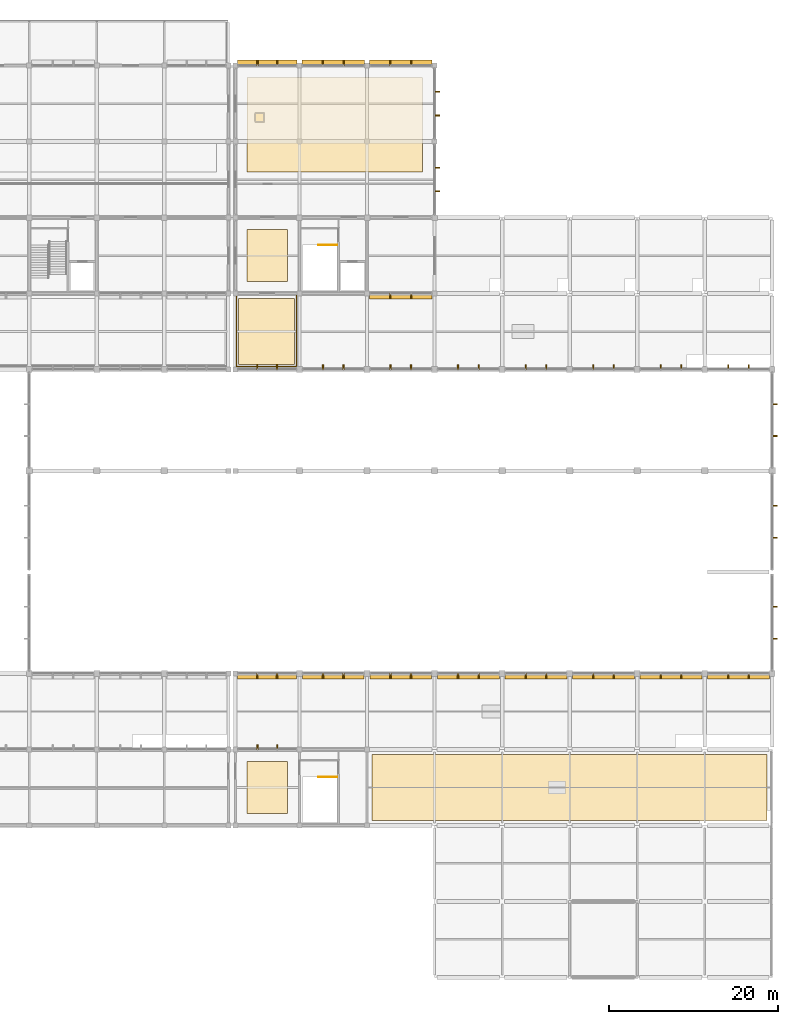
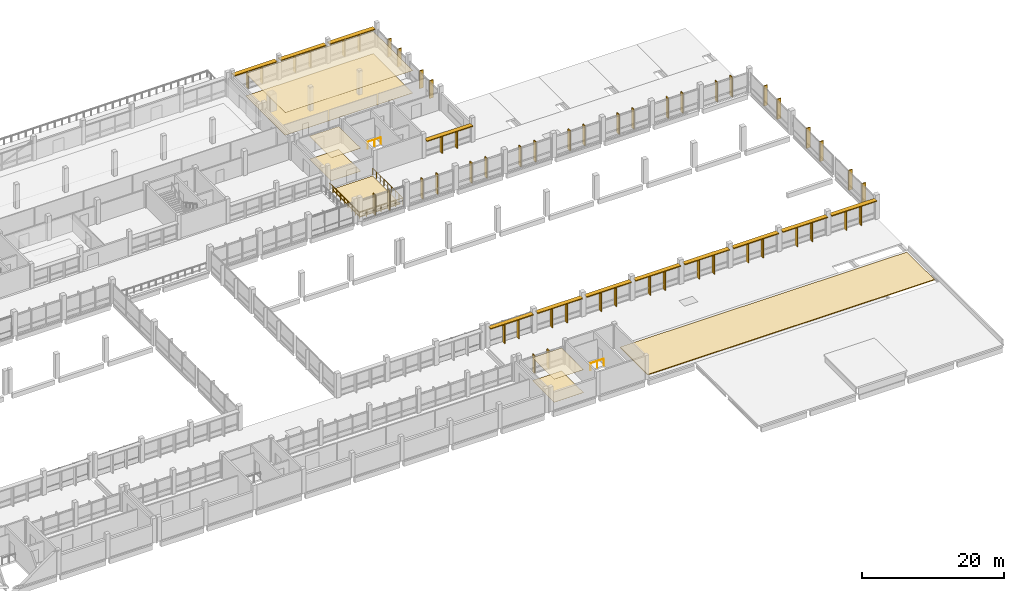
# One storey, part 70 of 70: 64 shading devices, 8 coverings, 3 railings.
"""IFC4 building model written with IfcOpenShell, lengths in metres."""

from ifc_helpers import new_model, si_unit, direction, frame, origin, origin_2d, place, context, subcontext, project, spatial, polyline, rectangle, circle, outline, extrude, material, layer, layer_set, type_object, element, save


model = new_model("IFC4")

# Units and contexts
model_context = context("Model", 3, precision=1e-05, world=origin(), true_north=direction((0.0, 1.0)))
body_context = subcontext(model_context, "Body", "Model", "MODEL_VIEW")
ifc_project = project(units=[si_unit("LENGTHUNIT", "METRE"), si_unit("AREAUNIT", "SQUARE_METRE"), si_unit("VOLUMEUNIT", "CUBIC_METRE"), si_unit("PLANEANGLEUNIT", "RADIAN"), si_unit("MASSUNIT", "GRAM", prefix="KILO"), si_unit("THERMODYNAMICTEMPERATUREUNIT", "KELVIN"), si_unit("POWERUNIT", "WATT")], contexts=[model_context])

# Site, building, storey
site_placement = place(None, origin())
site = spatial("IfcSite", under=ifc_project, at=site_placement, CompositionType="ELEMENT")
building_placement = place(site_placement, origin())
building = spatial("IfcBuilding", under=site, at=building_placement, Name="Kronsvod Quay Wholesale Market", CompositionType="ELEMENT")
storey_placement = place(building_placement, frame((0.0, 0.0, 9.0)))
storey = spatial("IfcBuildingStorey", under=building, at=storey_placement, Name="L02", CompositionType="ELEMENT", Elevation=9.0)

# Coverings
ifc_material_1 = material(Name="Moisture-resistant gypsum board ceiling")
ifc_layer_1 = layer(ifc_material_1, 0.02490234375)
ifc_layer_set_1 = layer_set([ifc_layer_1], Name="Moisture-resistant gypsum board ceiling")
covering_type_1 = type_object("IfcCoveringType", Name="Cov_Ceil03", PredefinedType="CEILING", material=ifc_layer_set_1)
covering_1_placement = place(storey_placement, frame((0.0, 0.0, 3.955078125)))
element("IfcCovering", 1, at=covering_1_placement, inside=storey, type_object=covering_type_1, Name="CLG-SP-L02-V4-06", PredefinedType="CEILING", context=body_context, shape_type="SweptSolid", body=[
    extrude(outline(polyline([(129.800048828125, 37.39990234375), (134.60009765625, 37.39990234375), (134.60009765625, 43.60009765625), (129.800048828125, 43.60009765625), (129.800048828125, 37.39990234375)])), origin(), (0.0, 0.0, 1.0), 0.02490234375),
])
covering_2_placement = place(storey_placement, frame((0.0, 0.0, 3.955078125)))
element("IfcCovering", 2, at=covering_2_placement, inside=storey, type_object=covering_type_1, Name="CLG-SP-L02-V5-07", PredefinedType="CEILING", context=body_context, shape_type="SweptSolid", body=[
    extrude(outline(polyline([(129.800048828125, 100.39990234375), (134.60009765625, 100.39990234375), (134.60009765625, 106.60009765625), (129.800048828125, 106.60009765625), (129.800048828125, 100.39990234375)])), origin(), (0.0, 0.0, 1.0), 0.02490234375),
])
covering_3_placement = place(storey_placement, frame((0.0, 0.0, 3.864990234375)))
element("IfcCovering", 3, at=covering_3_placement, inside=storey, type_object=covering_type_1, Name="CLG-SP-L02-V5-12", PredefinedType="CEILING", context=body_context, shape_type="SweptSolid", body=[
    extrude(outline(polyline([(129.800048828125, 113.39990234375), (150.60009765625, 113.39990234375), (150.60009765625, 124.60009765625), (129.800048828125, 124.60009765625), (129.800048828125, 113.39990234375)])), origin(), (0.0, 0.0, 1.0), 0.02490234375),
])
ifc_material_2 = material(Name="Heavy-duty polyurethane resin market screed")
ifc_layer_2 = layer(ifc_material_2, 0.02001953125)
ifc_layer_set_2 = layer_set([ifc_layer_2], Name="Heavy-duty polyurethane resin market screed")
covering_type_2 = type_object("IfcCoveringType", Name="Cov_Floor01", PredefinedType="FLOORING", material=ifc_layer_set_2)
covering_4_placement = place(storey_placement, origin())
element("IfcCovering", 4, at=covering_4_placement, inside=storey, type_object=covering_type_2, Name="FLR-SP-L02-V4-06", PredefinedType="FLOORING", context=body_context, shape_type="SweptSolid", body=[
    extrude(outline(polyline([(129.800048828125, 37.39990234375), (134.60009765625, 37.39990234375), (134.60009765625, 43.60009765625), (129.800048828125, 43.60009765625), (129.800048828125, 37.39990234375)])), origin(), (0.0, 0.0, 1.0), 0.02001953125),
])
covering_5_placement = place(storey_placement, origin())
element("IfcCovering", 5, at=covering_5_placement, inside=storey, type_object=covering_type_2, Name="FLR-SP-L02-V5-07", PredefinedType="FLOORING", context=body_context, shape_type="SweptSolid", body=[
    extrude(outline(polyline([(129.800048828125, 100.39990234375), (134.60009765625, 100.39990234375), (134.60009765625, 106.60009765625), (129.800048828125, 106.60009765625), (129.800048828125, 100.39990234375)])), origin(), (0.0, 0.0, 1.0), 0.02001953125),
])
covering_6_placement = place(storey_placement, origin())
element("IfcCovering", 6, at=covering_6_placement, inside=storey, type_object=covering_type_2, Name="FLR-SP-L02-V5-12", PredefinedType="FLOORING", context=body_context, shape_type="SweptSolid", body=[
    extrude(outline(polyline([(129.800048828125, 113.39990234375), (150.60009765625, 113.39990234375), (150.60009765625, 124.60009765625), (129.800048828125, 124.60009765625), (129.800048828125, 113.39990234375)])), origin(), (0.0, 0.0, 1.0), 0.02001953125),
])
ifc_material_3 = material(Name="Planted green roof sedum substrate")
ifc_layer_3 = layer(ifc_material_3, 0.139892578125)
ifc_layer_set_3 = layer_set([ifc_layer_3], Name="Planted green roof sedum substrate")
covering_type_3 = type_object("IfcCoveringType", Name="Cov_GreenRoofSubstrate", PredefinedType="ROOFING", material=ifc_layer_set_3)
covering_7_placement = place(storey_placement, origin())
element("IfcCovering", 7, at=covering_7_placement, inside=storey, type_object=covering_type_3, Name="COV-GD-L02E", PredefinedType="ROOFING", context=body_context, shape_type="SweptSolid", body=[
    extrude(outline(polyline([(128.800048828125, 90.60009765625), (135.39990234375, 90.60009765625), (135.39990234375, 98.39990234375), (128.800048828125, 98.39990234375), (128.800048828125, 90.60009765625)])), origin(), (0.0, 0.0, 1.0), 0.139892578125),
])
covering_8_placement = place(storey_placement, origin())
element("IfcCovering", 8, at=covering_8_placement, inside=storey, type_object=covering_type_3, Name="COV-GD-L02V4E", PredefinedType="ROOFING", context=body_context, shape_type="SweptSolid", body=[
    extrude(outline(polyline([(144.60009765625, 36.60009765625), (191.39990234375, 36.60009765625), (191.39990234375, 44.39990234375), (144.60009765625, 44.39990234375), (144.60009765625, 36.60009765625)])), origin(), (0.0, 0.0, 1.0), 0.139892578125),
])

# Railings
ifc_material_4 = material(Name="Stainless steel and laminated glass", Category="steel")
railing_type_1 = type_object("IfcRailingType", Name="Railing_Balustrade1150", PredefinedType="BALUSTRADE", material=ifc_material_4)
railing_1_placement = place(storey_placement, frame((128.550048828125, 98.800048828125, 0.0)))
element("IfcRailing", 9, at=railing_1_placement, inside=storey, type_object=railing_type_1, Name="GRD-L02-GD3", PredefinedType="BALUSTRADE", context=body_context, shape_type="SweptSolid", body=[
    extrude(circle(Radius=0.02392578125, at=origin_2d()), frame((0.0, 0.0, 1.1259765625), z_axis=(0.0, -1.0, 0.0), x_axis=(1.0, 0.0, 0.0)), (0.0, 0.0, 1.0), 8.449951171875),
    extrude(circle(Radius=0.02392578125, at=origin_2d()), frame((0.0, -8.449951171875, 1.1259765625), z_axis=(1.0, 0.0, 0.0), x_axis=(0.0, 1.0, 0.0)), (0.0, 0.0, 1.0), 7.099853515625),
    extrude(circle(Radius=0.02392578125, at=origin_2d()), frame((7.099853515625, -8.449951171875, 1.1259765625), z_axis=(0.0, 1.0, 0.0), x_axis=(-1.0, 0.0, 0.0)), (0.0, 0.0, 1.0), 8.449951171875),
    extrude(circle(Radius=0.02099609375, at=origin_2d()), origin(), (0.0, 0.0, 1.0), 1.101806640625),
    extrude(circle(Radius=0.02099609375, at=origin_2d()), frame((0.0, -1.05615234375, 0.0)), (0.0, 0.0, 1.0), 1.101806640625),
    extrude(circle(Radius=0.02099609375, at=origin_2d()), frame((0.0, -2.112548828125, 0.0)), (0.0, 0.0, 1.0), 1.101806640625),
    extrude(circle(Radius=0.02099609375, at=origin_2d()), frame((0.0, -3.168701171875, 0.0)), (0.0, 0.0, 1.0), 1.101806640625),
    extrude(circle(Radius=0.02099609375, at=origin_2d()), frame((0.0, -4.22509765625, 0.0)), (0.0, 0.0, 1.0), 1.101806640625),
    extrude(circle(Radius=0.02099609375, at=origin_2d()), frame((0.0, -5.28125, 0.0)), (0.0, 0.0, 1.0), 1.101806640625),
    extrude(circle(Radius=0.02099609375, at=origin_2d()), frame((0.0, -6.33740234375, 0.0)), (0.0, 0.0, 1.0), 1.101806640625),
    extrude(circle(Radius=0.02099609375, at=origin_2d()), frame((0.0, -7.393798828125, 0.0)), (0.0, 0.0, 1.0), 1.101806640625),
    extrude(circle(Radius=0.02099609375, at=origin_2d()), frame((0.0, -8.449951171875, 0.0)), (0.0, 0.0, 1.0), 1.101806640625),
    extrude(circle(Radius=0.02099609375, at=origin_2d()), frame((1.183349609375, -8.449951171875, 0.0)), (0.0, 0.0, 1.0), 1.101806640625),
    extrude(circle(Radius=0.02099609375, at=origin_2d()), frame((2.36669921875, -8.449951171875, 0.0)), (0.0, 0.0, 1.0), 1.101806640625),
    extrude(circle(Radius=0.02099609375, at=origin_2d()), frame((3.5498046875, -8.449951171875, 0.0)), (0.0, 0.0, 1.0), 1.101806640625),
    extrude(circle(Radius=0.02099609375, at=origin_2d()), frame((4.733154296875, -8.449951171875, 0.0)), (0.0, 0.0, 1.0), 1.101806640625),
    extrude(circle(Radius=0.02099609375, at=origin_2d()), frame((5.91650390625, -8.449951171875, 0.0)), (0.0, 0.0, 1.0), 1.101806640625),
    extrude(circle(Radius=0.02099609375, at=origin_2d()), frame((7.099853515625, -8.449951171875, 0.0)), (0.0, 0.0, 1.0), 1.101806640625),
    extrude(circle(Radius=0.02099609375, at=origin_2d()), frame((7.099853515625, -7.393798828125, 0.0)), (0.0, 0.0, 1.0), 1.101806640625),
    extrude(circle(Radius=0.02099609375, at=origin_2d()), frame((7.099853515625, -6.33740234375, 0.0)), (0.0, 0.0, 1.0), 1.101806640625),
    extrude(circle(Radius=0.02099609375, at=origin_2d()), frame((7.099853515625, -5.28125, 0.0)), (0.0, 0.0, 1.0), 1.101806640625),
    extrude(circle(Radius=0.02099609375, at=origin_2d()), frame((7.099853515625, -4.22509765625, 0.0)), (0.0, 0.0, 1.0), 1.101806640625),
    extrude(circle(Radius=0.02099609375, at=origin_2d()), frame((7.099853515625, -3.168701171875, 0.0)), (0.0, 0.0, 1.0), 1.101806640625),
    extrude(circle(Radius=0.02099609375, at=origin_2d()), frame((7.099853515625, -2.112548828125, 0.0)), (0.0, 0.0, 1.0), 1.101806640625),
    extrude(circle(Radius=0.02099609375, at=origin_2d()), frame((7.099853515625, -1.05615234375, 0.0)), (0.0, 0.0, 1.0), 1.101806640625),
    extrude(circle(Radius=0.02099609375, at=origin_2d()), frame((7.099853515625, 0.0, 0.0)), (0.0, 0.0, 1.0), 1.101806640625),
])
ifc_material_5 = material(Name="Stainless steel", Category="steel")
railing_type_2 = type_object("IfcRailingType", Name="Railing_Guard1200", PredefinedType="GUARDRAIL", material=ifc_material_5)
railing_2_placement = place(storey_placement, frame((138.239990234375, 41.760009765625, 0.0)))
element("IfcRailing", 10, at=railing_2_placement, inside=storey, type_object=railing_type_2, Name="ST05-L01-TOP-GRD", PredefinedType="GUARDRAIL", context=body_context, shape_type="SweptSolid", body=[
    extrude(circle(Radius=0.02392578125, at=origin_2d()), frame((0.0, 0.0, 1.17578125), z_axis=(1.0, 0.0, 0.0), x_axis=(0.0, 1.0, 0.0)), (0.0, 0.0, 1.0), 2.199951171875),
    extrude(circle(Radius=0.02099609375, at=origin_2d()), origin(), (0.0, 0.0, 1.0), 1.15185546875),
    extrude(circle(Radius=0.02099609375, at=origin_2d()), frame((1.10009765625, 0.0, 0.0)), (0.0, 0.0, 1.0), 1.15185546875),
    extrude(circle(Radius=0.02099609375, at=origin_2d()), frame((2.199951171875, 0.0, 0.0)), (0.0, 0.0, 1.0), 1.15185546875),
])
railing_3_placement = place(storey_placement, frame((138.260009765625, 104.760009765625, 0.0)))
element("IfcRailing", 11, at=railing_3_placement, inside=storey, type_object=railing_type_2, Name="ST10-L01-TOP-GRD", PredefinedType="GUARDRAIL", context=body_context, shape_type="SweptSolid", body=[
    extrude(circle(Radius=0.02392578125, at=origin_2d()), frame((0.0, 0.0, 1.17578125), z_axis=(1.0, 0.0, 0.0), x_axis=(0.0, 1.0, 0.0)), (0.0, 0.0, 1.0), 2.179931640625),
    extrude(circle(Radius=0.02099609375, at=origin_2d()), origin(), (0.0, 0.0, 1.0), 1.15185546875),
    extrude(circle(Radius=0.02099609375, at=origin_2d()), frame((1.08984375, 0.0, 0.0)), (0.0, 0.0, 1.0), 1.15185546875),
    extrude(circle(Radius=0.02099609375, at=origin_2d()), frame((2.179931640625, 0.0, 0.0)), (0.0, 0.0, 1.0), 1.15185546875),
])

# Shading devices
ifc_material_6 = material(Name="Anodised aluminium", Category="aluminium")
shading_device_type_1 = type_object("IfcShadingDeviceType", Name="Shade_SolarFin", PredefinedType="AWNING", material=ifc_material_6)
for number, where, z_axis, x_axis, name in (
    (12, (131.03173828125, 45.280029296875, -0.02001953125), (0.0, 0.0, 1.0), (1.0, 0.0, 0.0), "SHDF-CWGX-L02-1284-450-1310"),
    (13, (133.368408203125, 45.280029296875, -0.02001953125), (0.0, 0.0, 1.0), (1.0, 0.0, 0.0), "SHDF-CWGX-L02-1284-450-1334"),
):
    element("IfcShadingDevice", number, at=place(storey_placement, frame(where, z_axis=z_axis, x_axis=x_axis)), inside=storey, type_object=shading_device_type_1, Name=name, PredefinedType="AWNING", context=body_context, shape_type="SweptSolid", body=[
        extrude(rectangle(XDim=0.139892578125, YDim=0.6201171875, at=origin_2d()), origin(), (0.0, 0.0, 1.0), 3.090087890625),
    ])
for number, where, z_axis, x_axis, name in (
    (14, (131.014892578125, 53.719970703125, -0.02001953125), (0.0, 0.0, 1.0), (1.0, 0.0, 0.0), "SHDF-CWGX-L02-1284-540-1310"),
    (15, (133.3349609375, 53.719970703125, -0.02001953125), (0.0, 0.0, 1.0), (1.0, 0.0, 0.0), "SHDF-CWGX-L02-1284-540-1333"),
    (16, (138.78173828125, 53.719970703125, -0.02001953125), (0.0, 0.0, 1.0), (1.0, 0.0, 0.0), "SHDF-CWGX-L02-1360-540-1388"),
    (17, (141.21826171875, 53.719970703125, -0.02001953125), (0.0, 0.0, 1.0), (1.0, 0.0, 0.0), "SHDF-CWGX-L02-1360-540-1412"),
    (18, (146.78173828125, 53.719970703125, -0.02001953125), (0.0, 0.0, 1.0), (1.0, 0.0, 0.0), "SHDF-CWGX-L02-1440-540-1468"),
    (19, (149.21826171875, 53.719970703125, -0.02001953125), (0.0, 0.0, 1.0), (1.0, 0.0, 0.0), "SHDF-CWGX-L02-1440-540-1492"),
    (20, (154.78173828125, 53.719970703125, -0.02001953125), (0.0, 0.0, 1.0), (1.0, 0.0, 0.0), "SHDF-CWGX-L02-1520-540-1548"),
    (21, (157.21826171875, 53.719970703125, -0.02001953125), (0.0, 0.0, 1.0), (1.0, 0.0, 0.0), "SHDF-CWGX-L02-1520-540-1572"),
    (22, (162.78173828125, 53.719970703125, -0.02001953125), (0.0, 0.0, 1.0), (1.0, 0.0, 0.0), "SHDF-CWGX-L02-1600-540-1628"),
    (23, (165.21826171875, 53.719970703125, -0.02001953125), (0.0, 0.0, 1.0), (1.0, 0.0, 0.0), "SHDF-CWGX-L02-1600-540-1652"),
    (24, (170.78173828125, 53.719970703125, -0.02001953125), (0.0, 0.0, 1.0), (1.0, 0.0, 0.0), "SHDF-CWGX-L02-1680-540-1708"),
    (25, (173.21826171875, 53.719970703125, -0.02001953125), (0.0, 0.0, 1.0), (1.0, 0.0, 0.0), "SHDF-CWGX-L02-1680-540-1732"),
    (26, (178.78173828125, 53.719970703125, -0.02001953125), (0.0, 0.0, 1.0), (1.0, 0.0, 0.0), "SHDF-CWGX-L02-1760-540-1788"),
    (27, (181.21826171875, 53.719970703125, -0.02001953125), (0.0, 0.0, 1.0), (1.0, 0.0, 0.0), "SHDF-CWGX-L02-1760-540-1812"),
    (28, (186.78173828125, 53.719970703125, -0.02001953125), (0.0, 0.0, 1.0), (1.0, 0.0, 0.0), "SHDF-CWGX-L02-1840-540-1868"),
    (29, (189.21826171875, 53.719970703125, -0.02001953125), (0.0, 0.0, 1.0), (1.0, 0.0, 0.0), "SHDF-CWGX-L02-1840-540-1892"),
    (30, (131.014892578125, 90.280029296875, -0.02001953125), (0.0, 0.0, 1.0), (1.0, 0.0, 0.0), "SHDF-CWGX-L02-1284-900-1310"),
    (31, (133.3349609375, 90.280029296875, -0.02001953125), (0.0, 0.0, 1.0), (1.0, 0.0, 0.0), "SHDF-CWGX-L02-1284-900-1333"),
    (32, (138.78173828125, 90.280029296875, -0.02001953125), (0.0, 0.0, 1.0), (1.0, 0.0, 0.0), "SHDF-CWGX-L02-1360-900-1388"),
    (33, (141.21826171875, 90.280029296875, -0.02001953125), (0.0, 0.0, 1.0), (1.0, 0.0, 0.0), "SHDF-CWGX-L02-1360-900-1412"),
    (34, (146.78173828125, 90.280029296875, -0.02001953125), (0.0, 0.0, 1.0), (1.0, 0.0, 0.0), "SHDF-CWGX-L02-1440-900-1468"),
    (35, (149.21826171875, 90.280029296875, -0.02001953125), (0.0, 0.0, 1.0), (1.0, 0.0, 0.0), "SHDF-CWGX-L02-1440-900-1492"),
    (36, (154.78173828125, 90.280029296875, -0.02001953125), (0.0, 0.0, 1.0), (1.0, 0.0, 0.0), "SHDF-CWGX-L02-1520-900-1548"),
    (37, (157.21826171875, 90.280029296875, -0.02001953125), (0.0, 0.0, 1.0), (1.0, 0.0, 0.0), "SHDF-CWGX-L02-1520-900-1572"),
    (38, (162.78173828125, 90.280029296875, -0.02001953125), (0.0, 0.0, 1.0), (1.0, 0.0, 0.0), "SHDF-CWGX-L02-1600-900-1628"),
    (39, (165.21826171875, 90.280029296875, -0.02001953125), (0.0, 0.0, 1.0), (1.0, 0.0, 0.0), "SHDF-CWGX-L02-1600-900-1652"),
    (40, (170.78173828125, 90.280029296875, -0.02001953125), (0.0, 0.0, 1.0), (1.0, 0.0, 0.0), "SHDF-CWGX-L02-1680-900-1708"),
    (41, (173.21826171875, 90.280029296875, -0.02001953125), (0.0, 0.0, 1.0), (1.0, 0.0, 0.0), "SHDF-CWGX-L02-1680-900-1732"),
    (42, (178.78173828125, 90.280029296875, -0.02001953125), (0.0, 0.0, 1.0), (1.0, 0.0, 0.0), "SHDF-CWGX-L02-1760-900-1788"),
    (43, (181.21826171875, 90.280029296875, -0.02001953125), (0.0, 0.0, 1.0), (1.0, 0.0, 0.0), "SHDF-CWGX-L02-1760-900-1812"),
    (44, (186.78173828125, 90.280029296875, -0.02001953125), (0.0, 0.0, 1.0), (1.0, 0.0, 0.0), "SHDF-CWGX-L02-1840-900-1868"),
    (45, (189.21826171875, 90.280029296875, -0.02001953125), (0.0, 0.0, 1.0), (1.0, 0.0, 0.0), "SHDF-CWGX-L02-1840-900-1892"),
):
    element("IfcShadingDevice", number, at=place(storey_placement, frame(where, z_axis=z_axis, x_axis=x_axis)), inside=storey, type_object=shading_device_type_1, Name=name, PredefinedType="AWNING", context=body_context, shape_type="SweptSolid", body=[
        extrude(rectangle(XDim=0.139892578125, YDim=0.6201171875, at=origin_2d()), origin(), (0.0, 0.0, 1.0), 3.4599609375),
    ])
for number, where, z_axis, x_axis, name in (
    (46, (146.764892578125, 98.719970703125, -0.02001953125), (0.0, 0.0, 1.0), (1.0, 0.0, 0.0), "SHDF-CWGX-L02-1440-990-1468"),
    (47, (149.235107421875, 98.719970703125, -0.02001953125), (0.0, 0.0, 1.0), (1.0, 0.0, 0.0), "SHDF-CWGX-L02-1440-990-1492"),
    (48, (131.03173828125, 126.280029296875, -0.02001953125), (0.0, 0.0, 1.0), (1.0, 0.0, 0.0), "SHDF-CWGX-L02-1284-1260-1310"),
    (49, (133.368408203125, 126.280029296875, -0.02001953125), (0.0, 0.0, 1.0), (1.0, 0.0, 0.0), "SHDF-CWGX-L02-1284-1260-1334"),
    (50, (138.764892578125, 126.280029296875, -0.02001953125), (0.0, 0.0, 1.0), (1.0, 0.0, 0.0), "SHDF-CWGX-L02-1360-1260-1388"),
    (51, (141.235107421875, 126.280029296875, -0.02001953125), (0.0, 0.0, 1.0), (1.0, 0.0, 0.0), "SHDF-CWGX-L02-1360-1260-1412"),
    (52, (146.764892578125, 126.280029296875, -0.02001953125), (0.0, 0.0, 1.0), (1.0, 0.0, 0.0), "SHDF-CWGX-L02-1440-1260-1468"),
    (53, (149.235107421875, 126.280029296875, -0.02001953125), (0.0, 0.0, 1.0), (1.0, 0.0, 0.0), "SHDF-CWGX-L02-1440-1260-1492"),
):
    element("IfcShadingDevice", number, at=place(storey_placement, frame(where, z_axis=z_axis, x_axis=x_axis)), inside=storey, type_object=shading_device_type_1, Name=name, PredefinedType="AWNING", context=body_context, shape_type="SweptSolid", body=[
        extrude(rectangle(XDim=0.139892578125, YDim=0.6201171875, at=origin_2d()), origin(), (0.0, 0.0, 1.0), 3.090087890625),
    ])
for number, where, z_axis, x_axis, name in (
    (54, (152.280029296875, 111.114990234375, -0.02001953125), (0.0, 0.0, 1.0), (1.0, 0.0, 0.0), "SHDF-CWGY-L02-1520-1080-1111"),
    (55, (152.280029296875, 113.909912109375, -0.02001953125), (0.0, 0.0, 1.0), (1.0, 0.0, 0.0), "SHDF-CWGY-L02-1520-1080-1139"),
    (56, (152.280029296875, 120.098388671875, -0.02001953125), (0.0, 0.0, 1.0), (1.0, 0.0, 0.0), "SHDF-CWGY-L02-1520-1170-1201"),
    (57, (152.280029296875, 122.901611328125, -0.02001953125), (0.0, 0.0, 1.0), (1.0, 0.0, 0.0), "SHDF-CWGY-L02-1520-1170-1229"),
):
    element("IfcShadingDevice", number, at=place(storey_placement, frame(where, z_axis=z_axis, x_axis=x_axis)), inside=storey, type_object=shading_device_type_1, Name=name, PredefinedType="AWNING", context=body_context, shape_type="SweptSolid", body=[
        extrude(rectangle(XDim=0.6201171875, YDim=0.139892578125, at=origin_2d()), origin(), (0.0, 0.0, 1.0), 3.090087890625),
    ])
for number, where, z_axis, x_axis, name in (
    (58, (192.280029296875, 58.131591796875, -0.02001953125), (0.0, 0.0, 1.0), (1.0, 0.0, 0.0), "SHDF-CWGY-L02-1920-540-581"),
    (59, (192.280029296875, 61.918212890625, -0.02001953125), (0.0, 0.0, 1.0), (1.0, 0.0, 0.0), "SHDF-CWGY-L02-1920-540-619"),
    (60, (192.280029296875, 70.0732421875, -0.02001953125), (0.0, 0.0, 1.0), (1.0, 0.0, 0.0), "SHDF-CWGY-L02-1920-660-701"),
    (61, (192.280029296875, 73.851806640625, -0.02001953125), (0.0, 0.0, 1.0), (1.0, 0.0, 0.0), "SHDF-CWGY-L02-1920-660-739"),
    (62, (192.280029296875, 82.131591796875, -0.02001953125), (0.0, 0.0, 1.0), (1.0, 0.0, 0.0), "SHDF-CWGY-L02-1920-780-821"),
    (63, (192.280029296875, 85.893310546875, -0.02001953125), (0.0, 0.0, 1.0), (1.0, 0.0, 0.0), "SHDF-CWGY-L02-1920-780-859"),
):
    element("IfcShadingDevice", number, at=place(storey_placement, frame(where, z_axis=z_axis, x_axis=x_axis)), inside=storey, type_object=shading_device_type_1, Name=name, PredefinedType="AWNING", context=body_context, shape_type="SweptSolid", body=[
        extrude(rectangle(XDim=0.6201171875, YDim=0.139892578125, at=origin_2d()), origin(), (0.0, 0.0, 1.0), 3.4599609375),
    ])
ifc_material_7 = material(Name="Anodised aluminium sunshade hood", Category="aluminium")
shading_device_type_2 = type_object("IfcShadingDeviceType", Name="Shade_SunHood", PredefinedType="AWNING", material=ifc_material_7)
shading_device_1_placement = place(storey_placement, frame((132.175048828125, 53.719970703125, 3.2998046875), z_axis=(0.0, 0.0, 1.0), x_axis=(1.0, 0.0, 0.0)))
element("IfcShadingDevice", 64, at=shading_device_1_placement, inside=storey, type_object=shading_device_type_2, Name="SHDH-CWGX-L02-1284-540", PredefinedType="AWNING", context=body_context, shape_type="SweptSolid", body=[
    extrude(rectangle(XDim=6.97998046875, YDim=0.719970703125, at=origin_2d()), origin(), (0.0, 0.0, 1.0), 0.159912109375),
])
for number, where, z_axis, x_axis, name in (
    (65, (140.0, 53.719970703125, 3.2998046875), (0.0, 0.0, 1.0), (1.0, 0.0, 0.0), "SHDH-CWGX-L02-1360-540"),
    (66, (148.0, 53.719970703125, 3.2998046875), (0.0, 0.0, 1.0), (1.0, 0.0, 0.0), "SHDH-CWGX-L02-1440-540"),
    (67, (156.0, 53.719970703125, 3.2998046875), (0.0, 0.0, 1.0), (1.0, 0.0, 0.0), "SHDH-CWGX-L02-1520-540"),
    (68, (164.0, 53.719970703125, 3.2998046875), (0.0, 0.0, 1.0), (1.0, 0.0, 0.0), "SHDH-CWGX-L02-1600-540"),
    (69, (172.0, 53.719970703125, 3.2998046875), (0.0, 0.0, 1.0), (1.0, 0.0, 0.0), "SHDH-CWGX-L02-1680-540"),
    (70, (180.0, 53.719970703125, 3.2998046875), (0.0, 0.0, 1.0), (1.0, 0.0, 0.0), "SHDH-CWGX-L02-1760-540"),
    (71, (188.0, 53.719970703125, 3.2998046875), (0.0, 0.0, 1.0), (1.0, 0.0, 0.0), "SHDH-CWGX-L02-1840-540"),
):
    element("IfcShadingDevice", number, at=place(storey_placement, frame(where, z_axis=z_axis, x_axis=x_axis)), inside=storey, type_object=shading_device_type_2, Name=name, PredefinedType="AWNING", context=body_context, shape_type="SweptSolid", body=[
        extrude(rectangle(XDim=7.330078125, YDim=0.719970703125, at=origin_2d()), origin(), (0.0, 0.0, 1.0), 0.159912109375),
    ])
shading_device_2_placement = place(storey_placement, frame((148.0, 98.719970703125, 2.93017578125), z_axis=(0.0, 0.0, 1.0), x_axis=(1.0, 0.0, 0.0)))
element("IfcShadingDevice", 72, at=shading_device_2_placement, inside=storey, type_object=shading_device_type_2, Name="SHDH-CWGX-L02-1440-990", PredefinedType="AWNING", context=body_context, shape_type="SweptSolid", body=[
    extrude(rectangle(XDim=7.429931640625, YDim=0.719970703125, at=origin_2d()), origin(), (0.0, 0.0, 1.0), 0.159912109375),
])
shading_device_3_placement = place(storey_placement, frame((132.199951171875, 126.280029296875, 2.93017578125), z_axis=(0.0, 0.0, 1.0), x_axis=(1.0, 0.0, 0.0)))
element("IfcShadingDevice", 73, at=shading_device_3_placement, inside=storey, type_object=shading_device_type_2, Name="SHDH-CWGX-L02-1284-1260", PredefinedType="AWNING", context=body_context, shape_type="SweptSolid", body=[
    extrude(rectangle(XDim=7.030029296875, YDim=0.719970703125, at=origin_2d()), origin(), (0.0, 0.0, 1.0), 0.159912109375),
])
for number, where, z_axis, x_axis, name in (
    (74, (140.0, 126.280029296875, 2.93017578125), (0.0, 0.0, 1.0), (1.0, 0.0, 0.0), "SHDH-CWGX-L02-1360-1260"),
    (75, (148.0, 126.280029296875, 2.93017578125), (0.0, 0.0, 1.0), (1.0, 0.0, 0.0), "SHDH-CWGX-L02-1440-1260"),
):
    element("IfcShadingDevice", number, at=place(storey_placement, frame(where, z_axis=z_axis, x_axis=x_axis)), inside=storey, type_object=shading_device_type_2, Name=name, PredefinedType="AWNING", context=body_context, shape_type="SweptSolid", body=[
        extrude(rectangle(XDim=7.429931640625, YDim=0.719970703125, at=origin_2d()), origin(), (0.0, 0.0, 1.0), 0.159912109375),
    ])

save(model, "model.ifc")
